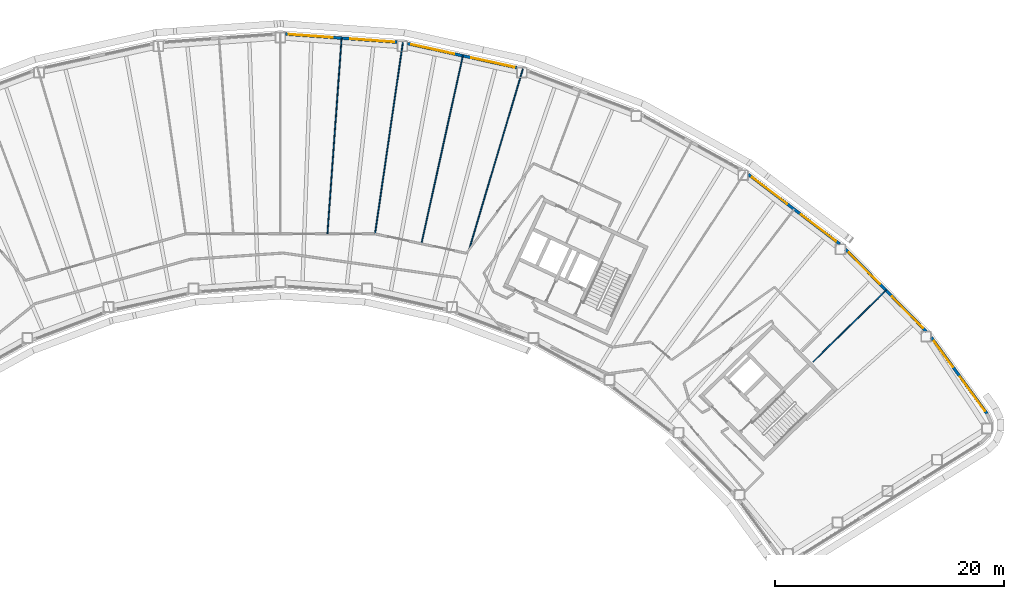
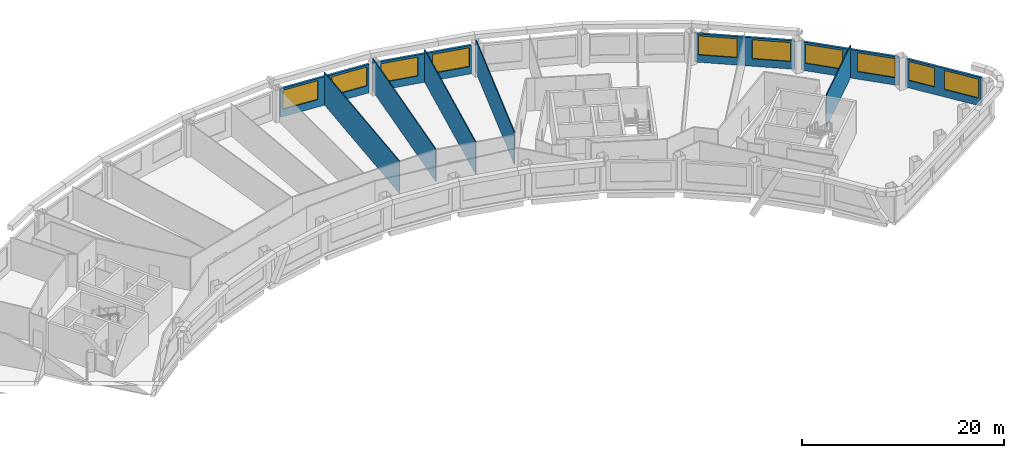
# One storey, part 10 of 14: 10 walls, 10 windows, 10 openings.
"""IFC4 building model written with IfcOpenShell, lengths in metres."""

from ifc_helpers import new_model, si_unit, direction, frame, frame_2d, origin, place, context, subcontext, project, spatial, rectangle, extrude, material, layer, layer_set, type_object, element, fill, save


model = new_model("IFC4")

# Units and contexts
model_context = context("Model", 3, precision=1e-05, world=origin(), true_north=direction((0.0, 1.0)))
body_context = subcontext(model_context, "Body", "Model", "MODEL_VIEW")
ifc_project = project(units=[si_unit("LENGTHUNIT", "METRE"), si_unit("AREAUNIT", "SQUARE_METRE"), si_unit("VOLUMEUNIT", "CUBIC_METRE"), si_unit("PLANEANGLEUNIT", "RADIAN"), si_unit("MASSUNIT", "GRAM", prefix="KILO")], contexts=[model_context])

# Site, building, storey
site_placement = place(None, origin())
site = spatial("IfcSite", under=ifc_project, at=site_placement, CompositionType="ELEMENT")
building_placement = place(site_placement, origin())
building = spatial("IfcBuilding", under=site, at=building_placement, Name="Tuul Gate Civic Tower", CompositionType="ELEMENT")
storey_placement = place(building_placement, frame((0.0, 0.0, 213.699951171875)))
storey = spatial("IfcBuildingStorey", under=building, at=storey_placement, Name="Level 48", CompositionType="ELEMENT", Elevation=213.699951171875)

# Wall, openings, windows
ifc_material_1 = material(Name="Precast concrete C40/50", Category="concrete")
ifc_layer_1 = layer(ifc_material_1, 0.25)
ifc_layer_set_1 = layer_set([ifc_layer_1], Name="Precast concrete C40/50")
wall_type_1 = type_object("IfcWallType", Name="External wall", PredefinedType="STANDARD", material=ifc_layer_set_1)
wall_1_placement = place(storey_placement, frame((67.629150390625, -14.27978515625, 0.0), z_axis=(0.0, 0.0, 1.0), x_axis=(-0.589817033075, 0.807536914014, 0.0)))
wall_1 = element("IfcWall", 1, at=wall_1_placement, inside=storey, type_object=wall_type_1, Name="External wall", PredefinedType="STANDARD", context=body_context, shape_type="SweptSolid", body=[
    extrude(rectangle(XDim=8.251953125, YDim=0.25, at=frame_2d((4.1259765625, 0.0))), origin(), (0.0, 0.0, 1.0), 3.449951171875),
])
opening_1_placement = place(wall_1_placement, frame((0.30078125, 0.0, 0.89990234375)))
opening_1 = element("IfcOpeningElement", 2, at=opening_1_placement, cuts=wall_1, Name="Opening W21", PredefinedType="OPENING", context=body_context, shape_type="SweptSolid", body=[
    extrude(rectangle(XDim=3.699951171875, YDim=2.300048828125, at=frame_2d((1.85009765625, 1.14990234375))), frame((0.0, 0.135009765625, 0.0), z_axis=(0.0, -1.0, 0.0), x_axis=(1.0, 0.0, 0.0)), (0.0, 0.0, 1.0), 0.27001953125),
])
opening_2_placement = place(wall_1_placement, frame((5.052001953125, 0.0, 0.89990234375)))
opening_2 = element("IfcOpeningElement", 3, at=opening_2_placement, cuts=wall_1, Name="Opening W23", PredefinedType="OPENING", context=body_context, shape_type="SweptSolid", body=[
    extrude(rectangle(XDim=2.800048828125, YDim=2.300048828125, at=frame_2d((1.39990234375, 1.14990234375))), frame((0.0, 0.135009765625, 0.0), z_axis=(0.0, -1.0, 0.0), x_axis=(1.0, 0.0, 0.0)), (0.0, 0.0, 1.0), 0.27001953125),
])
ifc_material_2 = material(Name="Glass", Category="glass")
window_type_1 = type_object("IfcWindowType", Name="Window W21 3700 x 2300", PartitioningType="SINGLE_PANEL", PredefinedType="WINDOW", material=ifc_material_2)
window_1_placement = place(opening_1_placement, origin())
window_1 = element("IfcWindow", 4, at=window_1_placement, inside=storey, type_object=window_type_1, Name="Window", OverallHeight=2.300048828125, OverallWidth=3.699951171875, PartitioningType="SINGLE_PANEL", PredefinedType="WINDOW", context=body_context, shape_type="SweptSolid", body=[
    extrude(rectangle(XDim=3.699951171875, YDim=2.300048828125, at=frame_2d((1.85009765625, 1.14990234375))), frame((0.0, 0.030029296875, 0.0), z_axis=(0.0, -1.0, 0.0), x_axis=(1.0, 0.0, 0.0)), (0.0, 0.0, 1.0), 0.06005859375),
])
fill(opening_1, window_1)
ifc_material_3 = material(Name="Glass", Category="glass")
window_type_2 = type_object("IfcWindowType", Name="Window W23 2800 x 2300", PartitioningType="SINGLE_PANEL", PredefinedType="WINDOW", material=ifc_material_3)
window_2_placement = place(opening_2_placement, origin())
window_2 = element("IfcWindow", 5, at=window_2_placement, inside=storey, type_object=window_type_2, Name="Window", OverallHeight=2.300048828125, OverallWidth=2.800048828125, PartitioningType="SINGLE_PANEL", PredefinedType="WINDOW", context=body_context, shape_type="SweptSolid", body=[
    extrude(rectangle(XDim=2.800048828125, YDim=2.300048828125, at=frame_2d((1.39990234375, 1.14990234375))), frame((0.0, 0.030029296875, 0.0), z_axis=(0.0, -1.0, 0.0), x_axis=(1.0, 0.0, 0.0)), (0.0, 0.0, 1.0), 0.06005859375),
])
fill(opening_2, window_2)

wall_2_placement = place(storey_placement, frame((62.3251953125, -7.10009765625, 0.0), z_axis=(0.0, 0.0, 1.0), x_axis=(-0.699993234942, 0.714149473875, 0.0)))
wall_2 = element("IfcWall", 6, at=wall_2_placement, inside=storey, type_object=wall_type_1, Name="External wall", PredefinedType="STANDARD", context=body_context, shape_type="SweptSolid", body=[
    extrude(rectangle(XDim=10.054443359375, YDim=0.25, at=frame_2d((5.02734375, 0.0))), origin(), (0.0, 0.0, 1.0), 3.449951171875),
])
opening_3_placement = place(wall_2_placement, frame((0.41552734375, 0.0, 0.89990234375)))
opening_3 = element("IfcOpeningElement", 7, at=opening_3_placement, cuts=wall_2, Name="Opening W22", PredefinedType="OPENING", context=body_context, shape_type="SweptSolid", body=[
    extrude(rectangle(XDim=3.85009765625, YDim=2.300048828125, at=frame_2d((1.925048828125, 1.14990234375))), frame((0.0, 0.135009765625, 0.0), z_axis=(0.0, -1.0, 0.0), x_axis=(1.0, 0.0, 0.0)), (0.0, 0.0, 1.0), 0.27001953125),
])
opening_4_placement = place(wall_2_placement, frame((5.787109375, 0.0, 0.89990234375)))
opening_4 = element("IfcOpeningElement", 8, at=opening_4_placement, cuts=wall_2, Name="Opening W22", PredefinedType="OPENING", context=body_context, shape_type="SweptSolid", body=[
    extrude(rectangle(XDim=3.85009765625, YDim=2.300048828125, at=frame_2d((1.925048828125, 1.14990234375))), frame((0.0, 0.135009765625, 0.0), z_axis=(0.0, -1.0, 0.0), x_axis=(1.0, 0.0, 0.0)), (0.0, 0.0, 1.0), 0.27001953125),
])
ifc_material_4 = material(Name="Glass", Category="glass")
window_type_3 = type_object("IfcWindowType", Name="Window W22 3850 x 2300", PartitioningType="SINGLE_PANEL", PredefinedType="WINDOW", material=ifc_material_4)
window_3_placement = place(opening_3_placement, origin())
window_3 = element("IfcWindow", 9, at=window_3_placement, inside=storey, type_object=window_type_3, Name="Window", OverallHeight=2.300048828125, OverallWidth=3.85009765625, PartitioningType="SINGLE_PANEL", PredefinedType="WINDOW", context=body_context, shape_type="SweptSolid", body=[
    extrude(rectangle(XDim=3.85009765625, YDim=2.300048828125, at=frame_2d((1.925048828125, 1.14990234375))), frame((0.0, 0.030029296875, 0.0), z_axis=(0.0, -1.0, 0.0), x_axis=(1.0, 0.0, 0.0)), (0.0, 0.0, 1.0), 0.06005859375),
])
fill(opening_3, window_3)
window_4_placement = place(opening_4_placement, origin())
window_4 = element("IfcWindow", 10, at=window_4_placement, inside=storey, type_object=window_type_3, Name="Window", OverallHeight=2.300048828125, OverallWidth=3.85009765625, PartitioningType="SINGLE_PANEL", PredefinedType="WINDOW", context=body_context, shape_type="SweptSolid", body=[
    extrude(rectangle(XDim=3.85009765625, YDim=2.300048828125, at=frame_2d((1.925048828125, 1.14990234375))), frame((0.0, 0.030029296875, 0.0), z_axis=(0.0, -1.0, 0.0), x_axis=(1.0, 0.0, 0.0)), (0.0, 0.0, 1.0), 0.06005859375),
])
fill(opening_4, window_4)

wall_3_placement = place(storey_placement, frame((54.782470703125, 0.52490234375, 0.0), z_axis=(0.0, 0.0, 1.0), x_axis=(-0.795600211162, 0.605822006862, 0.0)))
wall_3 = element("IfcWall", 11, at=wall_3_placement, inside=storey, type_object=wall_type_1, Name="External wall", PredefinedType="STANDARD", context=body_context, shape_type="SweptSolid", body=[
    extrude(rectangle(XDim=10.043212890625, YDim=0.25, at=frame_2d((5.021484375, 0.0))), origin(), (0.0, 0.0, 1.0), 3.449951171875),
])
opening_5_placement = place(wall_3_placement, frame((0.41162109375, 0.0, 0.89990234375)))
opening_5 = element("IfcOpeningElement", 12, at=opening_5_placement, cuts=wall_3, Name="Opening W22", PredefinedType="OPENING", context=body_context, shape_type="SweptSolid", body=[
    extrude(rectangle(XDim=3.85009765625, YDim=2.300048828125, at=frame_2d((1.925048828125, 1.14990234375))), frame((0.0, 0.135009765625, 0.0), z_axis=(0.0, -1.0, 0.0), x_axis=(1.0, 0.0, 0.0)), (0.0, 0.0, 1.0), 0.27001953125),
])
opening_6_placement = place(wall_3_placement, frame((5.782958984375, 0.0, 0.89990234375)))
opening_6 = element("IfcOpeningElement", 13, at=opening_6_placement, cuts=wall_3, Name="Opening W22", PredefinedType="OPENING", context=body_context, shape_type="SweptSolid", body=[
    extrude(rectangle(XDim=3.85009765625, YDim=2.300048828125, at=frame_2d((1.925048828125, 1.14990234375))), frame((0.0, 0.135009765625, 0.0), z_axis=(0.0, -1.0, 0.0), x_axis=(1.0, 0.0, 0.0)), (0.0, 0.0, 1.0), 0.27001953125),
])
window_5_placement = place(opening_5_placement, origin())
window_5 = element("IfcWindow", 14, at=window_5_placement, inside=storey, type_object=window_type_3, Name="Window", OverallHeight=2.300048828125, OverallWidth=3.85009765625, PartitioningType="SINGLE_PANEL", PredefinedType="WINDOW", context=body_context, shape_type="SweptSolid", body=[
    extrude(rectangle(XDim=3.85009765625, YDim=2.300048828125, at=frame_2d((1.925048828125, 1.14990234375))), frame((0.0, 0.030029296875, 0.0), z_axis=(0.0, -1.0, 0.0), x_axis=(1.0, 0.0, 0.0)), (0.0, 0.0, 1.0), 0.06005859375),
])
fill(opening_5, window_5)
window_6_placement = place(opening_6_placement, origin())
window_6 = element("IfcWindow", 15, at=window_6_placement, inside=storey, type_object=window_type_3, Name="Window", OverallHeight=2.300048828125, OverallWidth=3.85009765625, PartitioningType="SINGLE_PANEL", PredefinedType="WINDOW", context=body_context, shape_type="SweptSolid", body=[
    extrude(rectangle(XDim=3.85009765625, YDim=2.300048828125, at=frame_2d((1.925048828125, 1.14990234375))), frame((0.0, 0.030029296875, 0.0), z_axis=(0.0, -1.0, 0.0), x_axis=(1.0, 0.0, 0.0)), (0.0, 0.0, 1.0), 0.06005859375),
])
fill(opening_6, window_6)

wall_4_placement = place(storey_placement, frame((26.56591796875, 15.927490234375, 0.0), z_axis=(0.0, 0.0, 1.0), x_axis=(-0.976564786218, 0.215223647211, 0.0)))
wall_4 = element("IfcWall", 16, at=wall_4_placement, inside=storey, type_object=wall_type_1, Name="External wall", PredefinedType="STANDARD", context=body_context, shape_type="SweptSolid", body=[
    extrude(rectangle(XDim=9.75537109375, YDim=0.25, at=frame_2d((4.877685546875, 0.0))), origin(), (0.0, 0.0, 1.0), 3.449951171875),
])
opening_7_placement = place(wall_4_placement, frame((0.1953125, 0.0, 0.89990234375)))
opening_7 = element("IfcOpeningElement", 17, at=opening_7_placement, cuts=wall_4, Name="Opening W22", PredefinedType="OPENING", context=body_context, shape_type="SweptSolid", body=[
    extrude(rectangle(XDim=3.85009765625, YDim=2.300048828125, at=frame_2d((1.925048828125, 1.14990234375))), frame((0.0, 0.135009765625, 0.0), z_axis=(0.0, -1.0, 0.0), x_axis=(1.0, 0.0, 0.0)), (0.0, 0.0, 1.0), 0.27001953125),
])
opening_8_placement = place(wall_4_placement, frame((5.566650390625, 0.0, 0.89990234375)))
opening_8 = element("IfcOpeningElement", 18, at=opening_8_placement, cuts=wall_4, Name="Opening W22", PredefinedType="OPENING", context=body_context, shape_type="SweptSolid", body=[
    extrude(rectangle(XDim=3.85009765625, YDim=2.300048828125, at=frame_2d((1.925048828125, 1.14990234375))), frame((0.0, 0.135009765625, 0.0), z_axis=(0.0, -1.0, 0.0), x_axis=(1.0, 0.0, 0.0)), (0.0, 0.0, 1.0), 0.27001953125),
])
window_7_placement = place(opening_7_placement, origin())
window_7 = element("IfcWindow", 19, at=window_7_placement, inside=storey, type_object=window_type_3, Name="Window", OverallHeight=2.300048828125, OverallWidth=3.85009765625, PartitioningType="SINGLE_PANEL", PredefinedType="WINDOW", context=body_context, shape_type="SweptSolid", body=[
    extrude(rectangle(XDim=3.85009765625, YDim=2.300048828125, at=frame_2d((1.925048828125, 1.14990234375))), frame((0.0, 0.030029296875, 0.0), z_axis=(0.0, -1.0, 0.0), x_axis=(1.0, 0.0, 0.0)), (0.0, 0.0, 1.0), 0.06005859375),
])
fill(opening_7, window_7)
window_8_placement = place(opening_8_placement, origin())
window_8 = element("IfcWindow", 20, at=window_8_placement, inside=storey, type_object=window_type_3, Name="Window", OverallHeight=2.300048828125, OverallWidth=3.85009765625, PartitioningType="SINGLE_PANEL", PredefinedType="WINDOW", context=body_context, shape_type="SweptSolid", body=[
    extrude(rectangle(XDim=3.85009765625, YDim=2.300048828125, at=frame_2d((1.925048828125, 1.14990234375))), frame((0.0, 0.030029296875, 0.0), z_axis=(0.0, -1.0, 0.0), x_axis=(1.0, 0.0, 0.0)), (0.0, 0.0, 1.0), 0.06005859375),
])
fill(opening_8, window_8)

wall_5_placement = place(storey_placement, frame((16.138916015625, 18.152099609375, 0.0), z_axis=(0.0, 0.0, 1.0), x_axis=(-0.997380514853, 0.072333315912, 0.0)))
wall_5 = element("IfcWall", 21, at=wall_5_placement, inside=storey, type_object=wall_type_1, Name="External wall", PredefinedType="STANDARD", context=body_context, shape_type="SweptSolid", body=[
    extrude(rectangle(XDim=9.774658203125, YDim=0.25, at=frame_2d((4.88720703125, 0.0))), origin(), (0.0, 0.0, 1.0), 3.449951171875),
])
opening_9_placement = place(wall_5_placement, frame((0.253173828125, 0.0, 0.89990234375)))
opening_9 = element("IfcOpeningElement", 22, at=opening_9_placement, cuts=wall_5, Name="Opening W22", PredefinedType="OPENING", context=body_context, shape_type="SweptSolid", body=[
    extrude(rectangle(XDim=3.85009765625, YDim=2.300048828125, at=frame_2d((1.925048828125, 1.14990234375))), frame((0.0, 0.135009765625, 0.0), z_axis=(0.0, -1.0, 0.0), x_axis=(1.0, 0.0, 0.0)), (0.0, 0.0, 1.0), 0.27001953125),
])
opening_10_placement = place(wall_5_placement, frame((5.624267578125, 0.0, 0.89990234375)))
opening_10 = element("IfcOpeningElement", 23, at=opening_10_placement, cuts=wall_5, Name="Opening W22", PredefinedType="OPENING", context=body_context, shape_type="SweptSolid", body=[
    extrude(rectangle(XDim=3.85009765625, YDim=2.300048828125, at=frame_2d((1.925048828125, 1.14990234375))), frame((0.0, 0.135009765625, 0.0), z_axis=(0.0, -1.0, 0.0), x_axis=(1.0, 0.0, 0.0)), (0.0, 0.0, 1.0), 0.27001953125),
])
window_9_placement = place(opening_9_placement, origin())
window_9 = element("IfcWindow", 24, at=window_9_placement, inside=storey, type_object=window_type_3, Name="Window", OverallHeight=2.300048828125, OverallWidth=3.85009765625, PartitioningType="SINGLE_PANEL", PredefinedType="WINDOW", context=body_context, shape_type="SweptSolid", body=[
    extrude(rectangle(XDim=3.85009765625, YDim=2.300048828125, at=frame_2d((1.925048828125, 1.14990234375))), frame((0.0, 0.030029296875, 0.0), z_axis=(0.0, -1.0, 0.0), x_axis=(1.0, 0.0, 0.0)), (0.0, 0.0, 1.0), 0.06005859375),
])
fill(opening_9, window_9)
window_10_placement = place(opening_10_placement, origin())
window_10 = element("IfcWindow", 25, at=window_10_placement, inside=storey, type_object=window_type_3, Name="Window", OverallHeight=2.300048828125, OverallWidth=3.85009765625, PartitioningType="SINGLE_PANEL", PredefinedType="WINDOW", context=body_context, shape_type="SweptSolid", body=[
    extrude(rectangle(XDim=3.85009765625, YDim=2.300048828125, at=frame_2d((1.925048828125, 1.14990234375))), frame((0.0, 0.030029296875, 0.0), z_axis=(0.0, -1.0, 0.0), x_axis=(1.0, 0.0, 0.0)), (0.0, 0.0, 1.0), 0.06005859375),
])
fill(opening_10, window_10)

# Walls
ifc_material_5 = material(Name="Gypsum board partition")
ifc_layer_2 = layer(ifc_material_5, 0.10009765625)
ifc_layer_set_2 = layer_set([ifc_layer_2], Name="Gypsum board partition")
wall_type_2 = type_object("IfcWallType", Name="Partition P100", PredefinedType="PARTITIONING", material=ifc_layer_set_2)
wall_6_placement = place(storey_placement, frame((52.429931640625, -9.760986328125, 0.0), z_axis=(0.0, 0.0, 1.0), x_axis=(0.714135245014, 0.700007751263, 0.0)))
element("IfcWall", 26, at=wall_6_placement, inside=storey, type_object=wall_type_2, Name="p001", PredefinedType="PARTITIONING", context=body_context, shape_type="SweptSolid", body=[
    extrude(rectangle(XDim=8.934326171875, YDim=0.10009765625, at=frame_2d((4.46728515625, 0.0))), origin(), (0.0, 0.0, 1.0), 3.900146484375),
])
wall_7_placement = place(storey_placement, frame((22.423095703125, 0.059814453125, 0.0), z_axis=(0.0, 0.0, 1.0), x_axis=(0.285204859686, 0.958466581583, 0.0)))
element("IfcWall", 27, at=wall_7_placement, inside=storey, type_object=wall_type_2, Name="p025", PredefinedType="PARTITIONING", context=body_context, shape_type="SweptSolid", body=[
    extrude(rectangle(XDim=16.435546875, YDim=0.10009765625, at=frame_2d((8.2177734375, 0.0))), origin(), (0.0, 0.0, 1.0), 3.900146484375),
])
wall_8_placement = place(storey_placement, frame((18.25732421875, 0.557373046875, 0.0), z_axis=(0.0, 0.0, 1.0), x_axis=(0.215224032841, 0.97656470123, 0.0)))
element("IfcWall", 28, at=wall_8_placement, inside=storey, type_object=wall_type_2, Name="p027", PredefinedType="PARTITIONING", context=body_context, shape_type="SweptSolid", body=[
    extrude(rectangle(XDim=16.80322265625, YDim=0.10009765625, at=frame_2d((8.401611328125, 0.0))), origin(), (0.0, 0.0, 1.0), 3.900146484375),
])
wall_9_placement = place(storey_placement, frame((14.2041015625, 1.417236328125, 0.0), z_axis=(0.0, 0.0, 1.0), x_axis=(0.144113929435, 0.98956110238, 0.0)))
element("IfcWall", 29, at=wall_9_placement, inside=storey, type_object=wall_type_2, Name="p029", PredefinedType="PARTITIONING", context=body_context, shape_type="SweptSolid", body=[
    extrude(rectangle(XDim=16.8798828125, YDim=0.10009765625, at=frame_2d((8.43994140625, 0.0))), origin(), (0.0, 0.0, 1.0), 3.900146484375),
])
wall_10_placement = place(storey_placement, frame((10.051025390625, 1.4267578125, 0.0), z_axis=(0.0, 0.0, 1.0), x_axis=(0.072243844527, 0.997386999578, 0.0)))
element("IfcWall", 30, at=wall_10_placement, inside=storey, type_object=wall_type_2, Name="p030", PredefinedType="PARTITIONING", context=body_context, shape_type="SweptSolid", body=[
    extrude(rectangle(XDim=17.126708984375, YDim=0.10009765625, at=frame_2d((8.5634765625, 0.0))), origin(), (0.0, 0.0, 1.0), 3.900146484375),
])

save(model, "model.ifc")
